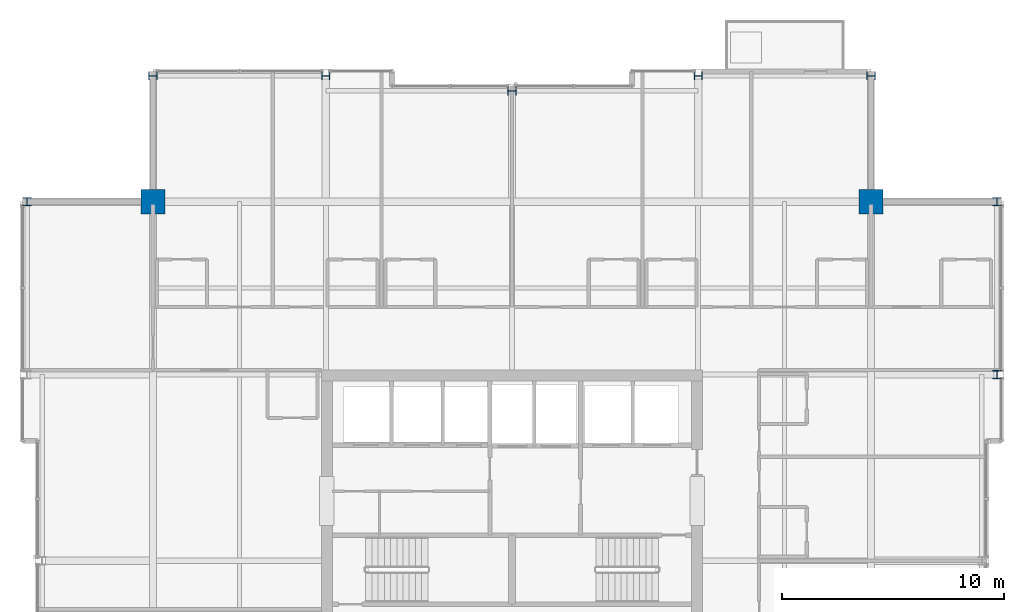
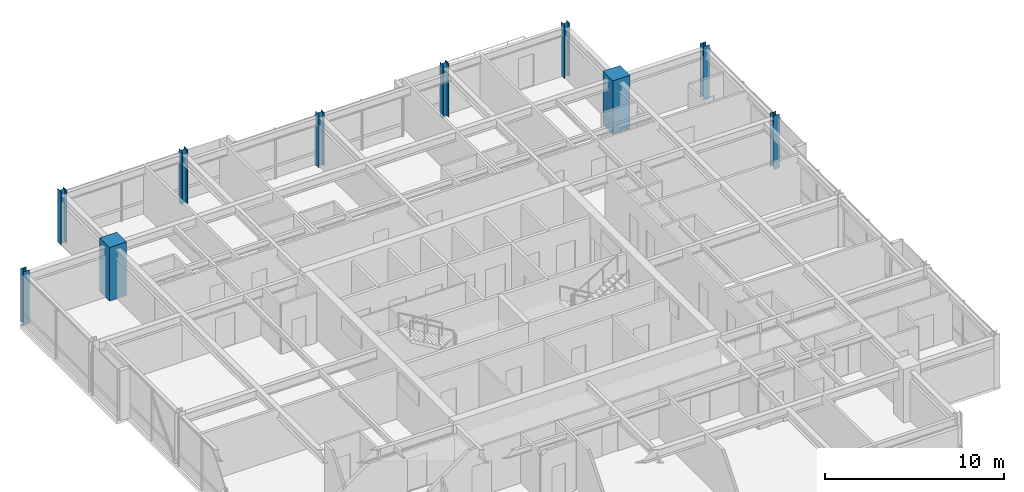
# One storey, part 2 of 32: 10 columns.
"""IFC4 building model written with IfcOpenShell, lengths in metres."""

import ifcopenshell
import ifcopenshell.guid

model = None  # the IFC model being written
_history = None  # IfcOwnerHistory: only IFC2X3 demands one
_inside = {}  # id of a spatial element -> (the spatial element, [elements in it])
_under = {}  # id of a project, library or spatial element -> (it, [spatial elements below it])
_declared = {}  # id of a project -> (the project, [libraries it declares])
_typed = {}  # id of a type object -> (the type object, [elements of that type])
_made_of = {}  # id of a material, layer set ... -> (it, [elements and type objects made of it])


def new_model(schema):
    """Start an empty IFC model of exactly this schema.

    Asked for "IFC4X3", IfcOpenShell would pick the latest addendum, in which some entities
    have other attributes; the version numbers below select the first issue.
    IFC2X3 requires an IfcOwnerHistory on every rooted entity: one is made here for all.
    """
    global model, _history
    if schema == "IFC4X3":
        model = ifcopenshell.file(schema_version=(4, 3, 0, 0))
    else:
        model = ifcopenshell.file(schema=schema)
    _inside.clear()
    _under.clear()
    _declared.clear()
    _typed.clear()
    _made_of.clear()
    _history = None
    if model.schema == "IFC2X3":
        org = make("IfcOrganization", Name="unknown")
        user = make(
            "IfcPersonAndOrganization",
            ThePerson=make("IfcPerson", FamilyName="unknown"),
            TheOrganization=org,
        )
        app = make(
            "IfcApplication",
            ApplicationDeveloper=org,
            Version="unknown",
            ApplicationFullName="unknown",
            ApplicationIdentifier="unknown",
        )
        _history = make(
            "IfcOwnerHistory",
            OwningUser=user,
            OwningApplication=app,
            ChangeAction="ADDED",
            CreationDate=0,
        )
    return model


def make(cls, **values):
    """One entity of the class cls with the attributes given. An attribute that is None is left unset."""
    return model.create_entity(
        cls, **{name: value for name, value in values.items() if value is not None}
    )


def rooted(cls, **values):
    """An entity with a GlobalId (a new one), such as an element, a storey or a relation."""
    return make(cls, GlobalId=ifcopenshell.guid.new(), OwnerHistory=_history, **values)


def si_unit(unit_type, name, prefix=None):
    """IfcSIUnit, for example si_unit("LENGTHUNIT", "METRE", prefix="MILLI")."""
    return make("IfcSIUnit", UnitType=unit_type, Prefix=prefix, Name=name)


def assignment(units):
    """IfcUnitAssignment: the units of a project."""
    return None if units is None else make("IfcUnitAssignment", Units=units)


def point(xyz):
    """IfcCartesianPoint."""
    return None if xyz is None else make("IfcCartesianPoint", Coordinates=xyz)


def direction(xyz):
    """IfcDirection."""
    return None if xyz is None else make("IfcDirection", DirectionRatios=xyz)


def frame(location, z_axis=None, x_axis=None):
    """IfcAxis2Placement3D, a coordinate frame: its origin and axes. An axis left out is left unset."""
    return make(
        "IfcAxis2Placement3D",
        Location=point(location),
        Axis=direction(z_axis),
        RefDirection=direction(x_axis),
    )


def frame_2d(location, x_axis=None):
    """IfcAxis2Placement2D, a coordinate frame in the plane: its origin and x axis."""
    return make(
        "IfcAxis2Placement2D", Location=point(location), RefDirection=direction(x_axis)
    )


def origin():
    """The frame at (0, 0, 0) with its axes left unset."""
    return frame((0.0, 0.0, 0.0))


def origin_2d():
    """The frame at (0, 0) in the plane with its x axis left unset."""
    return frame_2d((0.0, 0.0))


def place(relative_to, where):
    """IfcLocalPlacement: puts the frame where relative to a parent placement (None: the world)."""
    return make(
        "IfcLocalPlacement", PlacementRelTo=relative_to, RelativePlacement=where
    )


def context(
    kind, dimensions, precision=None, world=None, true_north=None, identifier=None
):
    """IfcGeometricRepresentationContext, for example the 3D "Model" context."""
    return make(
        "IfcGeometricRepresentationContext",
        ContextIdentifier=identifier,
        ContextType=kind,
        CoordinateSpaceDimension=dimensions,
        Precision=precision,
        WorldCoordinateSystem=world,
        TrueNorth=true_north,
    )


def subcontext(parent, identifier, kind, view, scale=None):
    """IfcGeometricRepresentationSubContext, for example "Body" below "Model"."""
    return make(
        "IfcGeometricRepresentationSubContext",
        ContextIdentifier=identifier,
        ContextType=kind,
        ParentContext=parent,
        TargetScale=scale,
        TargetView=view,
    )


def project(units=None, contexts=None):
    """IfcProject with its units and contexts."""
    return rooted(
        "IfcProject",
        Name="project",
        RepresentationContexts=contexts,
        UnitsInContext=assignment(units),
    )


def spatial(cls, under=None, at=None, **own):
    """A site, building, storey or space (cls), placed at a placement, below another one or the project."""
    s = rooted(cls, ObjectPlacement=at, **own)
    if under is not None:
        _under.setdefault(under.id(), (under, []))[1].append(s)
    return s


def profile(cls, at=None, kind="AREA", **sizes):
    """A parametric profile (cls). Its sizes go by their IFC names, for example OverallWidth=200.0."""
    return make(cls, ProfileType=kind, Position=at, **sizes)


def rectangle(**sizes):
    """IfcRectangleProfileDef."""
    return profile("IfcRectangleProfileDef", **sizes)


def i_section(**sizes):
    """IfcIShapeProfileDef."""
    return profile("IfcIShapeProfileDef", **sizes)


def extrude(swept, where, along, depth):
    """IfcExtrudedAreaSolid: the profile swept, set in the frame where, extruded along a direction by depth."""
    return make(
        "IfcExtrudedAreaSolid",
        SweptArea=swept,
        Position=where,
        ExtrudedDirection=direction(along),
        Depth=depth,
    )


def shape(context_of_items, identifier, shape_type, items):
    """IfcShapeRepresentation: the items that make up one representation, for example the "Body"."""
    return make(
        "IfcShapeRepresentation",
        ContextOfItems=context_of_items,
        RepresentationIdentifier=identifier,
        RepresentationType=shape_type,
        Items=items,
    )


def material(Name=None, Category=None):
    """IfcMaterial."""
    return make("IfcMaterial", Name=Name, Category=Category)


def material_profile(
    of_material, cross_section, Name=None, Category=None, Priority=None
):
    """IfcMaterialProfile: a cross section and its material."""
    return make(
        "IfcMaterialProfile",
        Name=Name,
        Material=of_material,
        Profile=cross_section,
        Priority=Priority,
        Category=Category,
    )


def profile_set(profiles, Name=None, composite=None):
    """IfcMaterialProfileSet."""
    return make(
        "IfcMaterialProfileSet",
        Name=Name,
        MaterialProfiles=profiles,
        CompositeProfile=composite,
    )


def made_of(thing, what):
    """Note that an element or type object is made of a material, layer set ...; save() writes the relation."""
    if what is not None:
        _made_of.setdefault(what.id(), (what, []))[1].append(thing)
    return thing


def type_object(cls, material=None, **own):
    """A type object (cls), such as IfcWallType, which elements share."""
    return made_of(rooted(cls, **own), material)


def element(
    cls,
    number,
    at=None,
    inside=None,
    cuts=None,
    type_object=None,
    material=None,
    context=None,
    identifier="Body",
    shape_type=None,
    held_by="IfcProductDefinitionShape",
    body=None,
    shapes=None,
    **own,
):
    """One element of the class cls, such as IfcWall. Its Tag is "e" and its number.

    at: its placement. inside: the storey or other place that contains it. cuts: it is an
    opening in that element (IfcRelVoidsElement). A single representation is given by context,
    identifier, shape_type and body (its items); several are given by shapes. held_by: the class
    of the entity that holds the representations. save() writes the other relations.
    """
    e = rooted(cls, Tag="e%d" % number, ObjectPlacement=at, **own)
    if body is not None:
        shapes = [shape(context, identifier, shape_type, body)]
    if shapes is not None:
        e.Representation = make(held_by, Representations=shapes)
    if inside is not None:
        _inside.setdefault(inside.id(), (inside, []))[1].append(e)
    if cuts is not None:
        rooted(
            "IfcRelVoidsElement", RelatingBuildingElement=cuts, RelatedOpeningElement=e
        )
    if type_object is not None:
        _typed.setdefault(type_object.id(), (type_object, []))[1].append(e)
    return made_of(e, material)


def aggregate(whole, parts):
    """IfcRelAggregates: a whole, such as a stair, and the parts it consists of."""
    return rooted("IfcRelAggregates", RelatingObject=whole, RelatedObjects=parts)


def save(model, path):
    """Write the relations noted so far, then the file.

    IfcRelAggregates (storeys below a building ...), IfcRelContainedInSpatialStructure (elements
    in a storey), IfcRelDefinesByType, IfcRelAssociatesMaterial and IfcRelDeclares: one each for
    every whole, place, type object, material and project.
    """
    for whole, parts in _under.values():
        aggregate(whole, parts)
    for where, things in _inside.values():
        rooted(
            "IfcRelContainedInSpatialStructure",
            RelatedElements=things,
            RelatingStructure=where,
        )
    for kind, things in _typed.values():
        rooted("IfcRelDefinesByType", RelatedObjects=things, RelatingType=kind)
    for what, things in _made_of.values():
        rooted("IfcRelAssociatesMaterial", RelatedObjects=things, RelatingMaterial=what)
    for by, libraries in _declared.values():
        rooted("IfcRelDeclares", RelatingContext=by, RelatedDefinitions=libraries)
    model.write(path)


model = new_model("IFC4")

# Units and contexts
model_context = context("Model", 3, precision=1e-05, world=origin(), true_north=direction((0.0, 1.0)))
body_context = subcontext(model_context, "Body", "Model", "MODEL_VIEW")
ifc_project = project(units=[si_unit("LENGTHUNIT", "METRE"), si_unit("AREAUNIT", "SQUARE_METRE"), si_unit("VOLUMEUNIT", "CUBIC_METRE"), si_unit("PLANEANGLEUNIT", "RADIAN"), si_unit("MASSUNIT", "GRAM", prefix="KILO")], contexts=[model_context])

# Site, building, storey
site_placement = place(None, origin())
site = spatial("IfcSite", under=ifc_project, at=site_placement, CompositionType="ELEMENT")
building_placement = place(site_placement, origin())
building = spatial("IfcBuilding", under=site, at=building_placement, Name="Drelvath Grand Hotel", CompositionType="ELEMENT")
storey_placement = place(building_placement, frame((0.0, 0.0, 265.0)))
storey = spatial("IfcBuildingStorey", under=building, at=storey_placement, Name="L69", CompositionType="ELEMENT", Elevation=265.0)

# Columns
ifc_material_1 = material(Name="Concrete f'c 55 MPa", Category="concrete")
ifc_material_profile_1 = material_profile(ifc_material_1, rectangle(XDim=1.10009765625, YDim=1.10009765625, at=origin_2d()), Name="MC1100X1100")
ifc_profile_set_1 = profile_set([ifc_material_profile_1], Name="Concrete f'c 55 MPa")
column_type_1 = type_object("IfcColumnType", Name="Composite Mega Column MC1100X1100", PredefinedType="COLUMN", material=ifc_profile_set_1)
for number, where, z_axis, x_axis, name in (
    (1, (-16.199951171875, 43.199951171875, 0.0), (0.0, 0.0, 1.0), (1.0, 0.0, 0.0), "L69 Composite Mega Column MC-NW"),
    (2, (16.199951171875, 43.199951171875, 0.0), (0.0, 0.0, 1.0), (1.0, 0.0, 0.0), "L69 Composite Mega Column MC-NE"),
):
    element("IfcColumn", number, at=place(storey_placement, frame(where, z_axis=z_axis, x_axis=x_axis)), inside=storey, type_object=column_type_1, Name=name, PredefinedType="COLUMN", context=body_context, shape_type="SweptSolid", body=[
        extrude(rectangle(XDim=1.10009765625, YDim=1.10009765625, at=origin_2d()), origin(), (0.0, 0.0, 1.0), 3.64990234375),
    ])
ifc_material_2 = material(Name="Steel ASTM A913 Gr 65", Category="steel")
ifc_material_profile_2 = material_profile(ifc_material_2, i_section(OverallWidth=0.3740234375, OverallDepth=0.372314453125, WebThickness=0.016357421875, FlangeThickness=0.026123046875, FilletRadius=0.02490234375, at=origin_2d()), Name="W14X132")
ifc_profile_set_2 = profile_set([ifc_material_profile_2], Name="Steel ASTM A913 Gr 65")
column_type_2 = type_object("IfcColumnType", Name="Perimeter Steel Column W14X132", PredefinedType="COLUMN", material=ifc_profile_set_2)
for number, where, z_axis, x_axis, name in (
    (3, (21.8798828125, 35.39990234375, 0.0), (0.0, 0.0, 1.0), (1.0, 0.0, 0.0), "L69 Structural Column TCE-F"),
    (4, (-21.8798828125, 43.199951171875, 0.0), (0.0, 0.0, 1.0), (1.0, 0.0, 0.0), "L69 Structural Column TCW-G"),
    (5, (21.8798828125, 43.199951171875, 0.0), (0.0, 0.0, 1.0), (1.0, 0.0, 0.0), "L69 Structural Column TCE-G"),
    (6, (-16.199951171875, 48.8798828125, 0.0), (0.0, 0.0, 1.0), (0.0, 1.0, 0.0), "L69 Structural Column TCN-3"),
    (7, (-8.39990234375, 48.8798828125, 0.0), (0.0, 0.0, 1.0), (0.0, 1.0, 0.0), "L69 Structural Column TCN-4"),
    (8, (0.0, 48.199951171875, 0.0), (0.0, 0.0, 1.0), (0.0, 1.0, 0.0), "L69 Structural Column TCN-5"),
    (9, (8.39990234375, 48.8798828125, 0.0), (0.0, 0.0, 1.0), (0.0, 1.0, 0.0), "L69 Structural Column TCN-6"),
    (10, (16.199951171875, 48.8798828125, 0.0), (0.0, 0.0, 1.0), (0.0, 1.0, 0.0), "L69 Structural Column TCN-7"),
):
    element("IfcColumn", number, at=place(storey_placement, frame(where, z_axis=z_axis, x_axis=x_axis)), inside=storey, type_object=column_type_2, Name=name, PredefinedType="COLUMN", context=body_context, shape_type="SweptSolid", body=[
        extrude(i_section(OverallWidth=0.3740234375, OverallDepth=0.372314453125, WebThickness=0.016357421875, FlangeThickness=0.026123046875, FilletRadius=0.02490234375, at=origin_2d()), origin(), (0.0, 0.0, 1.0), 3.64697265625),
    ])

save(model, "model.ifc")
